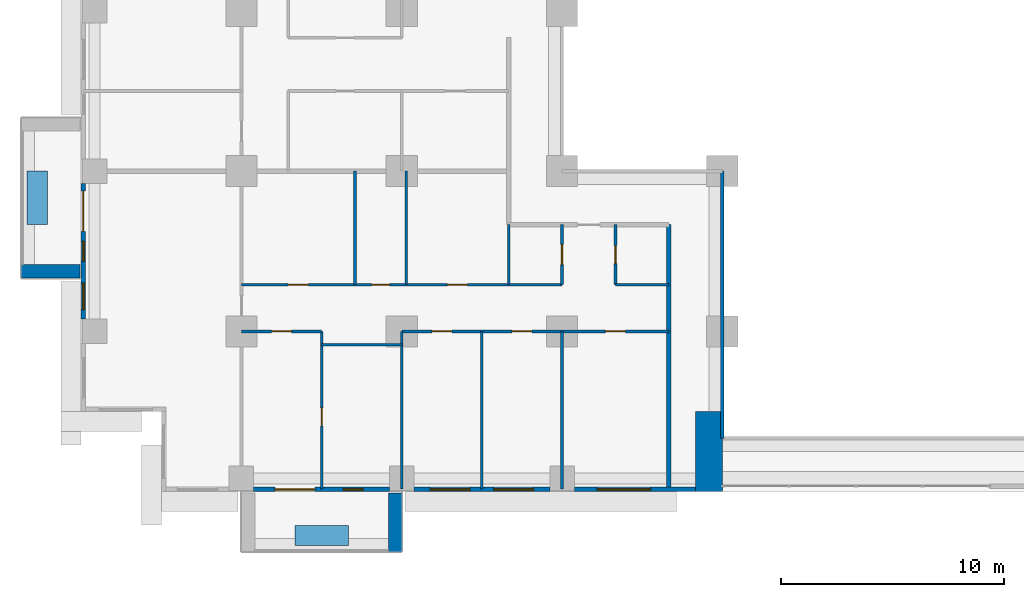
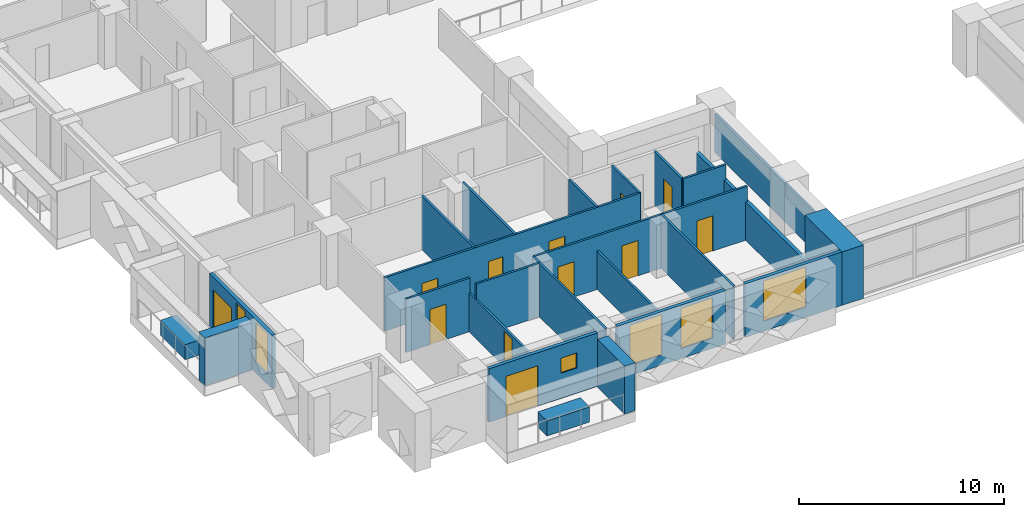
# One storey, part 6 of 16: 25 walls, 12 doors, 6 windows, 18 openings.
"""IFC4 building model written with IfcOpenShell, lengths in metres."""

from ifc_helpers import new_model, si_unit, direction, frame, frame_2d, origin, place, context, subcontext, project, spatial, rectangle, extrude, material, layer, layer_set, type_object, element, fill, save


model = new_model("IFC4")

# Units and contexts
model_context = context("Model", 3, precision=1e-05, world=origin(), true_north=direction((0.0, 1.0)))
body_context = subcontext(model_context, "Body", "Model", "MODEL_VIEW")
ifc_project = project(units=[si_unit("LENGTHUNIT", "METRE"), si_unit("AREAUNIT", "SQUARE_METRE"), si_unit("VOLUMEUNIT", "CUBIC_METRE"), si_unit("PLANEANGLEUNIT", "RADIAN"), si_unit("MASSUNIT", "GRAM", prefix="KILO")], contexts=[model_context])

# Site, building, storey
site_placement = place(None, origin())
site = spatial("IfcSite", under=ifc_project, at=site_placement, CompositionType="ELEMENT")
building_placement = place(site_placement, origin())
building = spatial("IfcBuilding", under=site, at=building_placement, Name="Saffron Iwan Residences", CompositionType="ELEMENT")
storey_placement = place(building_placement, frame((0.0, 0.0, 44.5)))
storey = spatial("IfcBuildingStorey", under=building, at=storey_placement, Name="L10", CompositionType="ELEMENT", Elevation=44.5)

# Walls
ifc_material_1 = material(Name="Fire-rated glazing", Category="glass")
ifc_layer_1 = layer(ifc_material_1, 0.14990234375)
ifc_layer_set_1 = layer_set([ifc_layer_1], Name="Fire-rated glazing")
wall_type_1 = type_object("IfcWallType", Name="Atrium glazed screen 150", PredefinedType="SOLIDWALL", material=ifc_layer_set_1)
wall_1_placement = place(storey_placement, frame((43.199951171875, 36.0, 0.0), z_axis=(0.0, 0.0, 1.0), x_axis=(0.0, 1.0, 0.0)))
element("IfcWall", 1, at=wall_1_placement, inside=storey, type_object=wall_type_1, Name="W-L10-SCREEN-v43.2-36", PredefinedType="SOLIDWALL", context=body_context, shape_type="SweptSolid", body=[
    extrude(rectangle(XDim=12.0, YDim=0.14990234375, at=frame_2d((6.0, 0.0))), origin(), (0.0, 0.0, 1.0), 2.280029296875),
])
ifc_material_2 = material(Name="Concrete C50/60 white painted", Category="concrete")
ifc_layer_2 = layer(ifc_material_2, 0.60009765625)
ifc_layer_set_2 = layer_set([ifc_layer_2], Name="Concrete C50/60 white painted")
wall_type_2 = type_object("IfcWallType", Name="BALCONY FIN 600", PredefinedType="SOLIDWALL", material=ifc_layer_set_2)
for number, where, z_axis, x_axis, name in (
    (2, (14.35009765625, 43.5, 0.0), (0.0, 0.0, 1.0), (-1.0, 0.0, 0.0), "Balcony fin L10 F8-1b"),
    (3, (28.5, 33.550048828125, 0.0), (0.0, 0.0, 1.0), (0.0, -1.0, 0.0), "Balcony fin L10 11-0b"),
):
    element("IfcWall", number, at=place(storey_placement, frame(where, z_axis=z_axis, x_axis=x_axis)), inside=storey, type_object=wall_type_2, Name=name, PredefinedType="SOLIDWALL", context=body_context, shape_type="SweptSolid", body=[
        extrude(rectangle(XDim=2.650146484375, YDim=0.60009765625, at=frame_2d((1.3251953125, 0.0))), origin(), (0.0, 0.0, 1.0), 2.85009765625),
    ])
ifc_material_3 = material(Name="Concrete C35/45 white painted", Category="concrete")
ifc_layer_3 = layer(ifc_material_3, 0.14990234375)
ifc_layer_set_3 = layer_set([ifc_layer_3], Name="Concrete C35/45 white painted")
wall_type_3 = type_object("IfcWallType", Name="BALCONY PLANTER", PredefinedType="SOLIDWALL", material=ifc_layer_set_3)
for number, where, z_axis, x_axis, name in (
    (4, (12.425048828125, 48.0, 0.0), (0.0, 0.0, 1.0), (0.0, -1.0, 0.0), "PLANTER L10 F8-1"),
    (5, (24.0, 31.625, 0.0), (0.0, 0.0, 1.0), (1.0, 0.0, 0.0), "PLANTER L10 11-0"),
):
    element("IfcWall", number, at=place(storey_placement, frame(where, z_axis=z_axis, x_axis=x_axis)), inside=storey, type_object=wall_type_3, Name=name, PredefinedType="SOLIDWALL", context=body_context, shape_type="SweptSolid", body=[
        extrude(rectangle(XDim=2.39990234375, YDim=0.89990234375, at=frame_2d((1.199951171875, 0.0))), origin(), (0.0, 0.0, 1.0), 0.89990234375),
    ])

# Wall, openings, door, windows
ifc_material_4 = material(Name="Concrete C40/50", Category="concrete")
ifc_layer_4 = layer(ifc_material_4, 0.199951171875)
ifc_layer_set_4 = layer_set([ifc_layer_4], Name="Concrete C40/50")
wall_type_4 = type_object("IfcWallType", Name="EXTERNAL WALL 200", PredefinedType="SOLIDWALL", material=ifc_layer_set_4)
wall_2_placement = place(storey_placement, frame((14.5, 47.449951171875, 0.0), z_axis=(0.0, 0.0, 1.0), x_axis=(0.0, -1.0, 0.0)))
wall_2 = element("IfcWall", 6, at=wall_2_placement, inside=storey, type_object=wall_type_4, Name="External wall L10 F8.4", PredefinedType="SOLIDWALL", context=body_context, shape_type="SweptSolid", body=[
    extrude(rectangle(XDim=6.099853515625, YDim=0.199951171875, at=frame_2d((3.0498046875, 0.0))), origin(), (0.0, 0.0, 1.0), 3.179931640625),
])
opening_1_placement = place(wall_2_placement, frame((0.35009765625, 0.0, 0.0)))
opening_1 = element("IfcOpeningElement", 7, at=opening_1_placement, cuts=wall_2, Name="Opening BD1", PredefinedType="OPENING", context=body_context, shape_type="SweptSolid", body=[
    extrude(rectangle(XDim=1.800048828125, YDim=2.39990234375, at=frame_2d((0.89990234375, 1.199951171875))), frame((0.0, 0.10986328125, 0.0), z_axis=(0.0, -1.0, 0.0), x_axis=(1.0, 0.0, 0.0)), (0.0, 0.0, 1.0), 0.219970703125),
])
opening_2_placement = place(wall_2_placement, frame((2.60009765625, 0.0, 0.60009765625)))
opening_2 = element("IfcOpeningElement", 8, at=opening_2_placement, cuts=wall_2, Name="Opening W10", PredefinedType="OPENING", context=body_context, shape_type="SweptSolid", body=[
    extrude(rectangle(XDim=0.89990234375, YDim=2.39990234375, at=frame_2d((0.449951171875, 1.199951171875))), frame((0.0, 0.10986328125, 0.0), z_axis=(0.0, -1.0, 0.0), x_axis=(1.0, 0.0, 0.0)), (0.0, 0.0, 1.0), 0.219970703125),
])
opening_3_placement = place(wall_2_placement, frame((4.47509765625, 0.0, 0.60009765625)))
opening_3 = element("IfcOpeningElement", 9, at=opening_3_placement, cuts=wall_2, Name="Opening W3", PredefinedType="OPENING", context=body_context, shape_type="SweptSolid", body=[
    extrude(rectangle(XDim=1.199951171875, YDim=2.39990234375, at=frame_2d((0.60009765625, 1.199951171875))), frame((0.0, 0.10986328125, 0.0), z_axis=(0.0, -1.0, 0.0), x_axis=(1.0, 0.0, 0.0)), (0.0, 0.0, 1.0), 0.219970703125),
])
ifc_material_5 = material(Name="Clear glass, laminated double glazed", Category="glass")
door_type_1 = type_object("IfcDoorType", Name="BALCONY DOOR 1800 x 2400", OperationType="DOUBLE_DOOR_SLIDING", PredefinedType="DOOR", material=ifc_material_5)
door_1_placement = place(opening_1_placement, origin())
door_1 = element("IfcDoor", 10, at=door_1_placement, inside=storey, type_object=door_type_1, Name="Balcony door L10 F8.0", OperationType="DOUBLE_DOOR_SLIDING", OverallHeight=2.39990234375, OverallWidth=1.800048828125, PredefinedType="DOOR", context=body_context, shape_type="SweptSolid", body=[
    extrude(rectangle(XDim=1.800048828125, YDim=2.39990234375, at=frame_2d((0.89990234375, 1.199951171875))), frame((0.0, 0.02490234375, 0.0), z_axis=(0.0, -1.0, 0.0), x_axis=(1.0, 0.0, 0.0)), (0.0, 0.0, 1.0), 0.050048828125),
])
fill(opening_1, door_1)
window_type_1 = type_object("IfcWindowType", Name="WINDOW 1200 x 2400", PartitioningType="SINGLE_PANEL", PredefinedType="WINDOW", material=ifc_material_5)
window_1_placement = place(opening_3_placement, origin())
window_1 = element("IfcWindow", 11, at=window_1_placement, inside=storey, type_object=window_type_1, Name="Window L10 F8.2", OverallHeight=2.39990234375, OverallWidth=1.199951171875, PartitioningType="SINGLE_PANEL", PredefinedType="WINDOW", context=body_context, shape_type="SweptSolid", body=[
    extrude(rectangle(XDim=1.199951171875, YDim=2.39990234375, at=frame_2d((0.60009765625, 1.199951171875))), frame((0.0, 0.030029296875, 0.0), z_axis=(0.0, -1.0, 0.0), x_axis=(1.0, 0.0, 0.0)), (0.0, 0.0, 1.0), 0.06005859375),
])
fill(opening_3, window_1)
window_type_2 = type_object("IfcWindowType", Name="WINDOW 900 x 2400", PartitioningType="SINGLE_PANEL", PredefinedType="WINDOW", material=ifc_material_5)
window_2_placement = place(opening_2_placement, origin())
window_2 = element("IfcWindow", 12, at=window_2_placement, inside=storey, type_object=window_type_2, Name="Window L10 F8.1", OverallHeight=2.39990234375, OverallWidth=0.89990234375, PartitioningType="SINGLE_PANEL", PredefinedType="WINDOW", context=body_context, shape_type="SweptSolid", body=[
    extrude(rectangle(XDim=0.89990234375, YDim=2.39990234375, at=frame_2d((0.449951171875, 1.199951171875))), frame((0.0, 0.030029296875, 0.0), z_axis=(0.0, -1.0, 0.0), x_axis=(1.0, 0.0, 0.0)), (0.0, 0.0, 1.0), 0.06005859375),
])
fill(opening_2, window_2)

# Wall, openings, door, window
wall_3_placement = place(storey_placement, frame((22.14990234375, 33.699951171875, 0.0), z_axis=(0.0, 0.0, 1.0), x_axis=(1.0, 0.0, 0.0)))
wall_3 = element("IfcWall", 13, at=wall_3_placement, inside=storey, type_object=wall_type_4, Name="External wall L10 F11.1", PredefinedType="SOLIDWALL", context=body_context, shape_type="SweptSolid", body=[
    extrude(rectangle(XDim=6.10009765625, YDim=0.199951171875, at=frame_2d((3.050048828125, 0.0))), origin(), (0.0, 0.0, 1.0), 3.179931640625),
])
opening_4_placement = place(wall_3_placement, frame((0.949951171875, 0.0, 0.0)))
opening_4 = element("IfcOpeningElement", 14, at=opening_4_placement, cuts=wall_3, Name="Opening BD1", PredefinedType="OPENING", context=body_context, shape_type="SweptSolid", body=[
    extrude(rectangle(XDim=1.800048828125, YDim=2.39990234375, at=frame_2d((0.89990234375, 1.199951171875))), frame((0.0, 0.10986328125, 0.0), z_axis=(0.0, -1.0, 0.0), x_axis=(1.0, 0.0, 0.0)), (0.0, 0.0, 1.0), 0.219970703125),
])
opening_5_placement = place(wall_3_placement, frame((4.02490234375, 0.0, 1.5)))
opening_5 = element("IfcOpeningElement", 15, at=opening_5_placement, cuts=wall_3, Name="Opening W6", PredefinedType="OPENING", context=body_context, shape_type="SweptSolid", body=[
    extrude(rectangle(XDim=0.89990234375, YDim=0.89990234375, at=frame_2d((0.449951171875, 0.449951171875))), frame((0.0, 0.10986328125, 0.0), z_axis=(0.0, -1.0, 0.0), x_axis=(1.0, 0.0, 0.0)), (0.0, 0.0, 1.0), 0.219970703125),
])
door_2_placement = place(opening_4_placement, origin())
door_2 = element("IfcDoor", 16, at=door_2_placement, inside=storey, type_object=door_type_1, Name="Balcony door L10 F11.0", OperationType="DOUBLE_DOOR_SLIDING", OverallHeight=2.39990234375, OverallWidth=1.800048828125, PredefinedType="DOOR", context=body_context, shape_type="SweptSolid", body=[
    extrude(rectangle(XDim=1.800048828125, YDim=2.39990234375, at=frame_2d((0.89990234375, 1.199951171875))), frame((0.0, 0.02490234375, 0.0), z_axis=(0.0, -1.0, 0.0), x_axis=(1.0, 0.0, 0.0)), (0.0, 0.0, 1.0), 0.050048828125),
])
fill(opening_4, door_2)
window_type_3 = type_object("IfcWindowType", Name="WINDOW 900 x 900 BATH", PartitioningType="SINGLE_PANEL", PredefinedType="WINDOW", material=ifc_material_5)
window_3_placement = place(opening_5_placement, origin())
window_3 = element("IfcWindow", 17, at=window_3_placement, inside=storey, type_object=window_type_3, Name="Window L10 F11.1", OverallHeight=0.89990234375, OverallWidth=0.89990234375, PartitioningType="SINGLE_PANEL", PredefinedType="WINDOW", context=body_context, shape_type="SweptSolid", body=[
    extrude(rectangle(XDim=0.89990234375, YDim=0.89990234375, at=frame_2d((0.449951171875, 0.449951171875))), frame((0.0, 0.030029296875, 0.0), z_axis=(0.0, -1.0, 0.0), x_axis=(1.0, 0.0, 0.0)), (0.0, 0.0, 1.0), 0.06005859375),
])
fill(opening_5, window_3)

# Wall, openings, windows
wall_4_placement = place(storey_placement, frame((29.35009765625, 33.699951171875, 0.0), z_axis=(0.0, 0.0, 1.0), x_axis=(1.0, 0.0, 0.0)))
wall_4 = element("IfcWall", 18, at=wall_4_placement, inside=storey, type_object=wall_type_4, Name="External wall L10 F11.2", PredefinedType="SOLIDWALL", context=body_context, shape_type="SweptSolid", body=[
    extrude(rectangle(XDim=6.099853515625, YDim=0.199951171875, at=frame_2d((3.0498046875, 0.0))), origin(), (0.0, 0.0, 1.0), 3.179931640625),
])
opening_6_placement = place(wall_4_placement, frame((0.72509765625, 0.0, 0.60009765625)))
opening_6 = element("IfcOpeningElement", 19, at=opening_6_placement, cuts=wall_4, Name="Opening W8", PredefinedType="OPENING", context=body_context, shape_type="SweptSolid", body=[
    extrude(rectangle(XDim=1.800048828125, YDim=2.39990234375, at=frame_2d((0.89990234375, 1.199951171875))), frame((0.0, 0.10986328125, 0.0), z_axis=(0.0, -1.0, 0.0), x_axis=(1.0, 0.0, 0.0)), (0.0, 0.0, 1.0), 0.219970703125),
])
opening_7_placement = place(wall_4_placement, frame((3.574951171875, 0.0, 0.60009765625)))
opening_7 = element("IfcOpeningElement", 20, at=opening_7_placement, cuts=wall_4, Name="Opening W8", PredefinedType="OPENING", context=body_context, shape_type="SweptSolid", body=[
    extrude(rectangle(XDim=1.800048828125, YDim=2.39990234375, at=frame_2d((0.89990234375, 1.199951171875))), frame((0.0, 0.10986328125, 0.0), z_axis=(0.0, -1.0, 0.0), x_axis=(1.0, 0.0, 0.0)), (0.0, 0.0, 1.0), 0.219970703125),
])
window_type_4 = type_object("IfcWindowType", Name="WINDOW 1800 x 2400", PartitioningType="DOUBLE_PANEL_VERTICAL", PredefinedType="WINDOW", material=ifc_material_5)
window_4_placement = place(opening_6_placement, origin())
window_4 = element("IfcWindow", 21, at=window_4_placement, inside=storey, type_object=window_type_4, Name="Window L10 F11.0", OverallHeight=2.39990234375, OverallWidth=1.800048828125, PartitioningType="DOUBLE_PANEL_VERTICAL", PredefinedType="WINDOW", context=body_context, shape_type="SweptSolid", body=[
    extrude(rectangle(XDim=1.800048828125, YDim=2.39990234375, at=frame_2d((0.89990234375, 1.199951171875))), frame((0.0, 0.030029296875, 0.0), z_axis=(0.0, -1.0, 0.0), x_axis=(1.0, 0.0, 0.0)), (0.0, 0.0, 1.0), 0.06005859375),
])
fill(opening_6, window_4)
window_5_placement = place(opening_7_placement, origin())
window_5 = element("IfcWindow", 22, at=window_5_placement, inside=storey, type_object=window_type_4, Name="Window L10 F11.1", OverallHeight=2.39990234375, OverallWidth=1.800048828125, PartitioningType="DOUBLE_PANEL_VERTICAL", PredefinedType="WINDOW", context=body_context, shape_type="SweptSolid", body=[
    extrude(rectangle(XDim=1.800048828125, YDim=2.39990234375, at=frame_2d((0.89990234375, 1.199951171875))), frame((0.0, 0.030029296875, 0.0), z_axis=(0.0, -1.0, 0.0), x_axis=(1.0, 0.0, 0.0)), (0.0, 0.0, 1.0), 0.06005859375),
])
fill(opening_7, window_5)

# Wall, opening, window
wall_5_placement = place(storey_placement, frame((36.550048828125, 33.699951171875, 0.0), z_axis=(0.0, 0.0, 1.0), x_axis=(1.0, 0.0, 0.0)))
wall_5 = element("IfcWall", 23, at=wall_5_placement, inside=storey, type_object=wall_type_4, Name="External wall L10 F11.3", PredefinedType="SOLIDWALL", context=body_context, shape_type="SweptSolid", body=[
    extrude(rectangle(XDim=5.449951171875, YDim=0.199951171875, at=frame_2d((2.72509765625, 0.0))), origin(), (0.0, 0.0, 1.0), 3.179931640625),
])
opening_8_placement = place(wall_5_placement, frame((1.02490234375, 0.0, 0.60009765625)))
opening_8 = element("IfcOpeningElement", 24, at=opening_8_placement, cuts=wall_5, Name="Opening W1", PredefinedType="OPENING", context=body_context, shape_type="SweptSolid", body=[
    extrude(rectangle(XDim=2.39990234375, YDim=2.39990234375, at=frame_2d((1.199951171875, 1.199951171875))), frame((0.0, 0.10986328125, 0.0), z_axis=(0.0, -1.0, 0.0), x_axis=(1.0, 0.0, 0.0)), (0.0, 0.0, 1.0), 0.219970703125),
])
window_type_5 = type_object("IfcWindowType", Name="WINDOW 2400 x 2400", PartitioningType="DOUBLE_PANEL_VERTICAL", PredefinedType="WINDOW", material=ifc_material_5)
window_6_placement = place(opening_8_placement, origin())
window_6 = element("IfcWindow", 25, at=window_6_placement, inside=storey, type_object=window_type_5, Name="Window L10 F11.0", OverallHeight=2.39990234375, OverallWidth=2.39990234375, PartitioningType="DOUBLE_PANEL_VERTICAL", PredefinedType="WINDOW", context=body_context, shape_type="SweptSolid", body=[
    extrude(rectangle(XDim=2.39990234375, YDim=2.39990234375, at=frame_2d((1.199951171875, 1.199951171875))), frame((0.0, 0.030029296875, 0.0), z_axis=(0.0, -1.0, 0.0), x_axis=(1.0, 0.0, 0.0)), (0.0, 0.0, 1.0), 0.06005859375),
])
fill(opening_8, window_6)

# Wall
ifc_material_6 = material(Name="Gypsum board partition")
ifc_layer_5 = layer(ifc_material_6, 0.1201171875)
ifc_layer_set_5 = layer_set([ifc_layer_5], Name="Gypsum board partition")
wall_type_5 = type_object("IfcWallType", Name="Flat partition 120", PredefinedType="PARTITIONING", material=ifc_layer_set_5)
wall_6_placement = place(storey_placement, frame((25.199951171875, 40.199951171875, 0.0), z_axis=(0.0, 0.0, 1.0), x_axis=(1.0, 0.0, 0.0)))
element("IfcWall", 26, at=wall_6_placement, inside=storey, type_object=wall_type_5, Name="W-L10-PART-h40.2-25.2", PredefinedType="PARTITIONING", context=body_context, shape_type="SweptSolid", body=[
    extrude(rectangle(XDim=3.60009765625, YDim=0.1201171875, at=frame_2d((1.800048828125, 0.0))), origin(), (0.0, 0.0, 1.0), 3.179931640625),
])

# Wall, opening, door
wall_7_placement = place(storey_placement, frame((21.60009765625, 40.800048828125, 0.0), z_axis=(0.0, 0.0, 1.0), x_axis=(1.0, 0.0, 0.0)))
wall_7 = element("IfcWall", 27, at=wall_7_placement, inside=storey, type_object=wall_type_5, Name="W-L10-PART-h40.8-21.6", PredefinedType="PARTITIONING", context=body_context, shape_type="SweptSolid", body=[
    extrude(rectangle(XDim=3.599853515625, YDim=0.1201171875, at=frame_2d((1.7998046875, 0.0))), origin(), (0.0, 0.0, 1.0), 3.179931640625),
])
opening_9_placement = place(wall_7_placement, frame((1.35009765625, 0.0, 0.0)))
opening_9 = element("IfcOpeningElement", 28, at=opening_9_placement, cuts=wall_7, Name="Opening FD2", PredefinedType="OPENING", context=body_context, shape_type="SweptSolid", body=[
    extrude(rectangle(XDim=0.89990234375, YDim=2.10009765625, at=frame_2d((0.449951171875, 1.050048828125))), frame((0.0, 0.070068359375, 0.0), z_axis=(0.0, -1.0, 0.0), x_axis=(1.0, 0.0, 0.0)), (0.0, 0.0, 1.0), 0.14013671875),
])
ifc_material_7 = material(Name="Timber door", Category="wood")
door_type_2 = type_object("IfcDoorType", Name="Flat door 900", OperationType="NOTDEFINED", PredefinedType="DOOR", material=ifc_material_7)
door_3_placement = place(opening_9_placement, origin())
door_3 = element("IfcDoor", 29, at=door_3_placement, inside=storey, type_object=door_type_2, Name="Door L10-003", OperationType="SINGLE_SWING_RIGHT", OverallHeight=2.10009765625, OverallWidth=0.89990234375, PredefinedType="DOOR", context=body_context, shape_type="SweptSolid", body=[
    extrude(rectangle(XDim=0.89990234375, YDim=2.10009765625, at=frame_2d((0.449951171875, 1.050048828125))), frame((0.0, 0.02490234375, 0.0), z_axis=(0.0, -1.0, 0.0), x_axis=(1.0, 0.0, 0.0)), (0.0, 0.0, 1.0), 0.050048828125),
])
fill(opening_9, door_3)

# Wall, openings, doors
wall_8_placement = place(storey_placement, frame((28.800048828125, 40.800048828125, 0.0), z_axis=(0.0, 0.0, 1.0), x_axis=(1.0, 0.0, 0.0)))
wall_8 = element("IfcWall", 30, at=wall_8_placement, inside=storey, type_object=wall_type_5, Name="W-L10-PART-h40.8-28.8", PredefinedType="PARTITIONING", context=body_context, shape_type="SweptSolid", body=[
    extrude(rectangle(XDim=12.0, YDim=0.1201171875, at=frame_2d((6.0, 0.0))), origin(), (0.0, 0.0, 1.0), 3.179931640625),
])
opening_10_placement = place(wall_8_placement, frame((1.35009765625, 0.0, 0.0)))
opening_10 = element("IfcOpeningElement", 31, at=opening_10_placement, cuts=wall_8, Name="Opening FD2", PredefinedType="OPENING", context=body_context, shape_type="SweptSolid", body=[
    extrude(rectangle(XDim=0.89990234375, YDim=2.10009765625, at=frame_2d((0.449951171875, 1.050048828125))), frame((0.0, 0.070068359375, 0.0), z_axis=(0.0, -1.0, 0.0), x_axis=(1.0, 0.0, 0.0)), (0.0, 0.0, 1.0), 0.14013671875),
])
opening_11_placement = place(wall_8_placement, frame((4.949951171875, 0.0, 0.0)))
opening_11 = element("IfcOpeningElement", 32, at=opening_11_placement, cuts=wall_8, Name="Opening FD2", PredefinedType="OPENING", context=body_context, shape_type="SweptSolid", body=[
    extrude(rectangle(XDim=0.89990234375, YDim=2.10009765625, at=frame_2d((0.449951171875, 1.050048828125))), frame((0.0, 0.070068359375, 0.0), z_axis=(0.0, -1.0, 0.0), x_axis=(1.0, 0.0, 0.0)), (0.0, 0.0, 1.0), 0.14013671875),
])
opening_12_placement = place(wall_8_placement, frame((9.14990234375, 0.0, 0.0)))
opening_12 = element("IfcOpeningElement", 33, at=opening_12_placement, cuts=wall_8, Name="Opening FD2", PredefinedType="OPENING", context=body_context, shape_type="SweptSolid", body=[
    extrude(rectangle(XDim=0.89990234375, YDim=2.10009765625, at=frame_2d((0.449951171875, 1.050048828125))), frame((0.0, 0.070068359375, 0.0), z_axis=(0.0, -1.0, 0.0), x_axis=(1.0, 0.0, 0.0)), (0.0, 0.0, 1.0), 0.14013671875),
])
door_4_placement = place(opening_10_placement, origin())
door_4 = element("IfcDoor", 34, at=door_4_placement, inside=storey, type_object=door_type_2, Name="Door L10-005", OperationType="SINGLE_SWING_LEFT", OverallHeight=2.10009765625, OverallWidth=0.89990234375, PredefinedType="DOOR", context=body_context, shape_type="SweptSolid", body=[
    extrude(rectangle(XDim=0.89990234375, YDim=2.10009765625, at=frame_2d((0.449951171875, 1.050048828125))), frame((0.0, 0.02490234375, 0.0), z_axis=(0.0, -1.0, 0.0), x_axis=(1.0, 0.0, 0.0)), (0.0, 0.0, 1.0), 0.050048828125),
])
fill(opening_10, door_4)
door_5_placement = place(opening_11_placement, origin())
door_5 = element("IfcDoor", 35, at=door_5_placement, inside=storey, type_object=door_type_2, Name="Door L10-006", OperationType="SINGLE_SWING_RIGHT", OverallHeight=2.10009765625, OverallWidth=0.89990234375, PredefinedType="DOOR", context=body_context, shape_type="SweptSolid", body=[
    extrude(rectangle(XDim=0.89990234375, YDim=2.10009765625, at=frame_2d((0.449951171875, 1.050048828125))), frame((0.0, 0.02490234375, 0.0), z_axis=(0.0, -1.0, 0.0), x_axis=(1.0, 0.0, 0.0)), (0.0, 0.0, 1.0), 0.050048828125),
])
fill(opening_11, door_5)
door_6_placement = place(opening_12_placement, origin())
door_6 = element("IfcDoor", 36, at=door_6_placement, inside=storey, type_object=door_type_2, Name="Door L10-007", OperationType="SINGLE_SWING_LEFT", OverallHeight=2.10009765625, OverallWidth=0.89990234375, PredefinedType="DOOR", context=body_context, shape_type="SweptSolid", body=[
    extrude(rectangle(XDim=0.89990234375, YDim=2.10009765625, at=frame_2d((0.449951171875, 1.050048828125))), frame((0.0, 0.02490234375, 0.0), z_axis=(0.0, -1.0, 0.0), x_axis=(1.0, 0.0, 0.0)), (0.0, 0.0, 1.0), 0.050048828125),
])
fill(opening_12, door_6)

wall_9_placement = place(storey_placement, frame((21.60009765625, 42.89990234375, 0.0), z_axis=(0.0, 0.0, 1.0), x_axis=(1.0, 0.0, 0.0)))
wall_9 = element("IfcWall", 37, at=wall_9_placement, inside=storey, type_object=wall_type_5, Name="W-L10-PART-h42.9-21.6", PredefinedType="PARTITIONING", context=body_context, shape_type="SweptSolid", body=[
    extrude(rectangle(XDim=14.39990234375, YDim=0.1201171875, at=frame_2d((7.199951171875, 0.0))), origin(), (0.0, 0.0, 1.0), 3.179931640625),
])
opening_13_placement = place(wall_9_placement, frame((2.10009765625, 0.0, 0.0)))
opening_13 = element("IfcOpeningElement", 38, at=opening_13_placement, cuts=wall_9, Name="Opening FD2", PredefinedType="OPENING", context=body_context, shape_type="SweptSolid", body=[
    extrude(rectangle(XDim=0.89990234375, YDim=2.10009765625, at=frame_2d((0.449951171875, 1.050048828125))), frame((0.0, 0.070068359375, 0.0), z_axis=(0.0, -1.0, 0.0), x_axis=(1.0, 0.0, 0.0)), (0.0, 0.0, 1.0), 0.14013671875),
])
opening_14_placement = place(wall_9_placement, frame((5.85009765625, 0.0, 0.0)))
opening_14 = element("IfcOpeningElement", 39, at=opening_14_placement, cuts=wall_9, Name="Opening FD3", PredefinedType="OPENING", context=body_context, shape_type="SweptSolid", body=[
    extrude(rectangle(XDim=0.800048828125, YDim=2.10009765625, at=frame_2d((0.39990234375, 1.050048828125))), frame((0.0, 0.070068359375, 0.0), z_axis=(0.0, -1.0, 0.0), x_axis=(1.0, 0.0, 0.0)), (0.0, 0.0, 1.0), 0.14013671875),
])
opening_15_placement = place(wall_9_placement, frame((9.25, 0.0, 0.0)))
opening_15 = element("IfcOpeningElement", 40, at=opening_15_placement, cuts=wall_9, Name="Opening FD2", PredefinedType="OPENING", context=body_context, shape_type="SweptSolid", body=[
    extrude(rectangle(XDim=0.89990234375, YDim=2.10009765625, at=frame_2d((0.449951171875, 1.050048828125))), frame((0.0, 0.070068359375, 0.0), z_axis=(0.0, -1.0, 0.0), x_axis=(1.0, 0.0, 0.0)), (0.0, 0.0, 1.0), 0.14013671875),
])
door_type_3 = type_object("IfcDoorType", Name="Bathroom door 800", OperationType="NOTDEFINED", PredefinedType="DOOR", material=ifc_material_7)
door_7_placement = place(opening_14_placement, origin())
door_7 = element("IfcDoor", 41, at=door_7_placement, inside=storey, type_object=door_type_3, Name="Door L10-009", OperationType="SINGLE_SWING_RIGHT", OverallHeight=2.10009765625, OverallWidth=0.800048828125, PredefinedType="DOOR", context=body_context, shape_type="SweptSolid", body=[
    extrude(rectangle(XDim=0.800048828125, YDim=2.10009765625, at=frame_2d((0.39990234375, 1.050048828125))), frame((0.0, 0.02490234375, 0.0), z_axis=(0.0, -1.0, 0.0), x_axis=(1.0, 0.0, 0.0)), (0.0, 0.0, 1.0), 0.050048828125),
])
fill(opening_14, door_7)
door_8_placement = place(opening_13_placement, origin())
door_8 = element("IfcDoor", 42, at=door_8_placement, inside=storey, type_object=door_type_2, Name="Door L10-008", OperationType="SINGLE_SWING_LEFT", OverallHeight=2.10009765625, OverallWidth=0.89990234375, PredefinedType="DOOR", context=body_context, shape_type="SweptSolid", body=[
    extrude(rectangle(XDim=0.89990234375, YDim=2.10009765625, at=frame_2d((0.449951171875, 1.050048828125))), frame((0.0, 0.02490234375, 0.0), z_axis=(0.0, -1.0, 0.0), x_axis=(1.0, 0.0, 0.0)), (0.0, 0.0, 1.0), 0.050048828125),
])
fill(opening_13, door_8)
door_9_placement = place(opening_15_placement, origin())
door_9 = element("IfcDoor", 43, at=door_9_placement, inside=storey, type_object=door_type_2, Name="Door L10-010", OperationType="SINGLE_SWING_LEFT", OverallHeight=2.10009765625, OverallWidth=0.89990234375, PredefinedType="DOOR", context=body_context, shape_type="SweptSolid", body=[
    extrude(rectangle(XDim=0.89990234375, YDim=2.10009765625, at=frame_2d((0.449951171875, 1.050048828125))), frame((0.0, 0.02490234375, 0.0), z_axis=(0.0, -1.0, 0.0), x_axis=(1.0, 0.0, 0.0)), (0.0, 0.0, 1.0), 0.050048828125),
])
fill(opening_15, door_9)

# Wall
wall_10_placement = place(storey_placement, frame((38.39990234375, 42.89990234375, 0.0), z_axis=(0.0, 0.0, 1.0), x_axis=(1.0, 0.0, 0.0)))
element("IfcWall", 44, at=wall_10_placement, inside=storey, type_object=wall_type_5, Name="W-L10-PART-h42.9-38.4", PredefinedType="PARTITIONING", context=body_context, shape_type="SweptSolid", body=[
    extrude(rectangle(XDim=2.400146484375, YDim=0.1201171875, at=frame_2d((1.2001953125, 0.0))), origin(), (0.0, 0.0, 1.0), 3.179931640625),
])

# Wall, opening, door
wall_11_placement = place(storey_placement, frame((25.199951171875, 33.72509765625, 0.0), z_axis=(0.0, 0.0, 1.0), x_axis=(0.0, 1.0, 0.0)))
wall_11 = element("IfcWall", 45, at=wall_11_placement, inside=storey, type_object=wall_type_5, Name="W-L10-PART-v25.2-33.725", PredefinedType="PARTITIONING", context=body_context, shape_type="SweptSolid", body=[
    extrude(rectangle(XDim=7.074951171875, YDim=0.1201171875, at=frame_2d((3.53759765625, 0.0))), origin(), (0.0, 0.0, 1.0), 2.280029296875),
])
opening_16_placement = place(wall_11_placement, frame((2.83740234375, 0.0, 0.0)))
opening_16 = element("IfcOpeningElement", 46, at=opening_16_placement, cuts=wall_11, Name="Opening FD3", PredefinedType="OPENING", context=body_context, shape_type="SweptSolid", body=[
    extrude(rectangle(XDim=0.800048828125, YDim=2.10009765625, at=frame_2d((0.39990234375, 1.050048828125))), frame((0.0, 0.070068359375, 0.0), z_axis=(0.0, -1.0, 0.0), x_axis=(1.0, 0.0, 0.0)), (0.0, 0.0, 1.0), 0.14013671875),
])
door_10_placement = place(opening_16_placement, origin())
door_10 = element("IfcDoor", 47, at=door_10_placement, inside=storey, type_object=door_type_3, Name="Door L10-004", OperationType="SINGLE_SWING_LEFT", OverallHeight=2.10009765625, OverallWidth=0.800048828125, PredefinedType="DOOR", context=body_context, shape_type="SweptSolid", body=[
    extrude(rectangle(XDim=0.800048828125, YDim=2.10009765625, at=frame_2d((0.39990234375, 1.050048828125))), frame((0.0, 0.02490234375, 0.0), z_axis=(0.0, -1.0, 0.0), x_axis=(1.0, 0.0, 0.0)), (0.0, 0.0, 1.0), 0.050048828125),
])
fill(opening_16, door_10)

# Walls
wall_12_placement = place(storey_placement, frame((26.699951171875, 42.89990234375, 0.0), z_axis=(0.0, 0.0, 1.0), x_axis=(0.0, 1.0, 0.0)))
element("IfcWall", 48, at=wall_12_placement, inside=storey, type_object=wall_type_5, Name="W-L10-PART-v26.7-42.9", PredefinedType="PARTITIONING", context=body_context, shape_type="SweptSolid", body=[
    extrude(rectangle(XDim=5.10009765625, YDim=0.1201171875, at=frame_2d((2.550048828125, 0.0))), origin(), (0.0, 0.0, 1.0), 3.179931640625),
])
wall_13_placement = place(storey_placement, frame((28.800048828125, 33.72509765625, 0.0), z_axis=(0.0, 0.0, 1.0), x_axis=(0.0, 1.0, 0.0)))
element("IfcWall", 49, at=wall_13_placement, inside=storey, type_object=wall_type_5, Name="W-L10-PART-v28.8-33.725", PredefinedType="PARTITIONING", context=body_context, shape_type="SweptSolid", body=[
    extrude(rectangle(XDim=7.074951171875, YDim=0.1201171875, at=frame_2d((3.53759765625, 0.0))), origin(), (0.0, 0.0, 1.0), 3.179931640625),
])
wall_14_placement = place(storey_placement, frame((29.0, 42.89990234375, 0.0), z_axis=(0.0, 0.0, 1.0), x_axis=(0.0, 1.0, 0.0)))
element("IfcWall", 50, at=wall_14_placement, inside=storey, type_object=wall_type_5, Name="W-L10-PART-v29-42.9", PredefinedType="PARTITIONING", context=body_context, shape_type="SweptSolid", body=[
    extrude(rectangle(XDim=5.10009765625, YDim=0.1201171875, at=frame_2d((2.550048828125, 0.0))), origin(), (0.0, 0.0, 1.0), 3.179931640625),
])
wall_15_placement = place(storey_placement, frame((32.39990234375, 33.72509765625, 0.0), z_axis=(0.0, 0.0, 1.0), x_axis=(0.0, 1.0, 0.0)))
element("IfcWall", 51, at=wall_15_placement, inside=storey, type_object=wall_type_5, Name="W-L10-PART-v32.4-33.725", PredefinedType="PARTITIONING", context=body_context, shape_type="SweptSolid", body=[
    extrude(rectangle(XDim=7.074951171875, YDim=0.1201171875, at=frame_2d((3.53759765625, 0.0))), origin(), (0.0, 0.0, 1.0), 2.280029296875),
])
wall_16_placement = place(storey_placement, frame((33.60009765625, 42.89990234375, 0.0), z_axis=(0.0, 0.0, 1.0), x_axis=(0.0, 1.0, 0.0)))
element("IfcWall", 52, at=wall_16_placement, inside=storey, type_object=wall_type_5, Name="W-L10-PART-v33.6-42.9", PredefinedType="PARTITIONING", context=body_context, shape_type="SweptSolid", body=[
    extrude(rectangle(XDim=2.7001953125, YDim=0.1201171875, at=frame_2d((1.35009765625, 0.0))), origin(), (0.0, 0.0, 1.0), 3.179931640625),
])
wall_17_placement = place(storey_placement, frame((36.0, 33.72509765625, 0.0), z_axis=(0.0, 0.0, 1.0), x_axis=(0.0, 1.0, 0.0)))
element("IfcWall", 53, at=wall_17_placement, inside=storey, type_object=wall_type_5, Name="W-L10-PART-v36-33.725", PredefinedType="PARTITIONING", context=body_context, shape_type="SweptSolid", body=[
    extrude(rectangle(XDim=7.074951171875, YDim=0.1201171875, at=frame_2d((3.53759765625, 0.0))), origin(), (0.0, 0.0, 1.0), 3.179931640625),
])

# Wall, opening, door
wall_18_placement = place(storey_placement, frame((36.0, 42.89990234375, 0.0), z_axis=(0.0, 0.0, 1.0), x_axis=(0.0, 1.0, 0.0)))
wall_18 = element("IfcWall", 54, at=wall_18_placement, inside=storey, type_object=wall_type_5, Name="W-L10-PART-v36-42.9", PredefinedType="PARTITIONING", context=body_context, shape_type="SweptSolid", body=[
    extrude(rectangle(XDim=2.7001953125, YDim=0.1201171875, at=frame_2d((1.35009765625, 0.0))), origin(), (0.0, 0.0, 1.0), 3.179931640625),
])
opening_17_placement = place(wall_18_placement, frame((0.89990234375, 0.0, 0.0)))
opening_17 = element("IfcOpeningElement", 55, at=opening_17_placement, cuts=wall_18, Name="Opening FD2", PredefinedType="OPENING", context=body_context, shape_type="SweptSolid", body=[
    extrude(rectangle(XDim=0.89990234375, YDim=2.10009765625, at=frame_2d((0.449951171875, 1.050048828125))), frame((0.0, 0.070068359375, 0.0), z_axis=(0.0, -1.0, 0.0), x_axis=(1.0, 0.0, 0.0)), (0.0, 0.0, 1.0), 0.14013671875),
])
door_11_placement = place(opening_17_placement, origin())
door_11 = element("IfcDoor", 56, at=door_11_placement, inside=storey, type_object=door_type_2, Name="Door L10-011", OperationType="SINGLE_SWING_LEFT", OverallHeight=2.10009765625, OverallWidth=0.89990234375, PredefinedType="DOOR", context=body_context, shape_type="SweptSolid", body=[
    extrude(rectangle(XDim=0.89990234375, YDim=2.10009765625, at=frame_2d((0.449951171875, 1.050048828125))), frame((0.0, 0.02490234375, 0.0), z_axis=(0.0, -1.0, 0.0), x_axis=(1.0, 0.0, 0.0)), (0.0, 0.0, 1.0), 0.050048828125),
])
fill(opening_17, door_11)

wall_19_placement = place(storey_placement, frame((38.39990234375, 42.89990234375, 0.0), z_axis=(0.0, 0.0, 1.0), x_axis=(0.0, 1.0, 0.0)))
wall_19 = element("IfcWall", 57, at=wall_19_placement, inside=storey, type_object=wall_type_5, Name="W-L10-PART-v38.4-42.9", PredefinedType="PARTITIONING", context=body_context, shape_type="SweptSolid", body=[
    extrude(rectangle(XDim=2.7001953125, YDim=0.1201171875, at=frame_2d((1.35009765625, 0.0))), origin(), (0.0, 0.0, 1.0), 3.179931640625),
])
opening_18_placement = place(wall_19_placement, frame((0.949951171875, 0.0, 0.0)))
opening_18 = element("IfcOpeningElement", 58, at=opening_18_placement, cuts=wall_19, Name="Opening FD3", PredefinedType="OPENING", context=body_context, shape_type="SweptSolid", body=[
    extrude(rectangle(XDim=0.800048828125, YDim=2.10009765625, at=frame_2d((0.39990234375, 1.050048828125))), frame((0.0, 0.070068359375, 0.0), z_axis=(0.0, -1.0, 0.0), x_axis=(1.0, 0.0, 0.0)), (0.0, 0.0, 1.0), 0.14013671875),
])
door_12_placement = place(opening_18_placement, origin())
door_12 = element("IfcDoor", 59, at=door_12_placement, inside=storey, type_object=door_type_3, Name="Door L10-012", OperationType="SINGLE_SWING_RIGHT", OverallHeight=2.10009765625, OverallWidth=0.800048828125, PredefinedType="DOOR", context=body_context, shape_type="SweptSolid", body=[
    extrude(rectangle(XDim=0.800048828125, YDim=2.10009765625, at=frame_2d((0.39990234375, 1.050048828125))), frame((0.0, 0.02490234375, 0.0), z_axis=(0.0, -1.0, 0.0), x_axis=(1.0, 0.0, 0.0)), (0.0, 0.0, 1.0), 0.050048828125),
])
fill(opening_18, door_12)

# Walls
ifc_material_8 = material(Name="Fire-rated gypsum board wall")
ifc_layer_6 = layer(ifc_material_8, 0.199951171875)
ifc_layer_set_6 = layer_set([ifc_layer_6], Name="Fire-rated gypsum board wall")
wall_type_6 = type_object("IfcWallType", Name="Gallery wall 200", PredefinedType="SOLIDWALL", material=ifc_layer_set_6)
wall_20_placement = place(storey_placement, frame((40.800048828125, 33.72509765625, 0.0), z_axis=(0.0, 0.0, 1.0), x_axis=(0.0, 1.0, 0.0)))
element("IfcWall", 60, at=wall_20_placement, inside=storey, type_object=wall_type_6, Name="W-L10-CORR-v40.8-33.725", PredefinedType="SOLIDWALL", context=body_context, shape_type="SweptSolid", body=[
    extrude(rectangle(XDim=11.875, YDim=0.199951171875, at=frame_2d((5.9375, 0.0))), origin(), (0.0, 0.0, 1.0), 2.280029296875),
])
ifc_material_9 = material(Name="Concrete C60/75", Category="concrete")
ifc_layer_7 = layer(ifc_material_9, 1.199951171875)
ifc_layer_set_7 = layer_set([ifc_layer_7], Name="Concrete C60/75")
wall_type_7 = type_object("IfcWallType", Name="WALL IWAN PIER 1200 C60/75 3180 HIGH", PredefinedType="SHEAR", material=ifc_layer_set_7)
wall_21_placement = place(storey_placement, frame((42.60009765625, 33.60009765625, 0.0), z_axis=(0.0, 0.0, 1.0), x_axis=(0.0, 1.0, 0.0)))
element("IfcWall", 61, at=wall_21_placement, inside=storey, type_object=wall_type_7, Name="IWAN PIER", PredefinedType="SHEAR", context=body_context, shape_type="SweptSolid", body=[
    extrude(rectangle(XDim=3.599853515625, YDim=1.199951171875, at=frame_2d((1.7998046875, 0.0))), origin(), (0.0, 0.0, 1.0), 3.179931640625),
])

save(model, "model.ifc")
